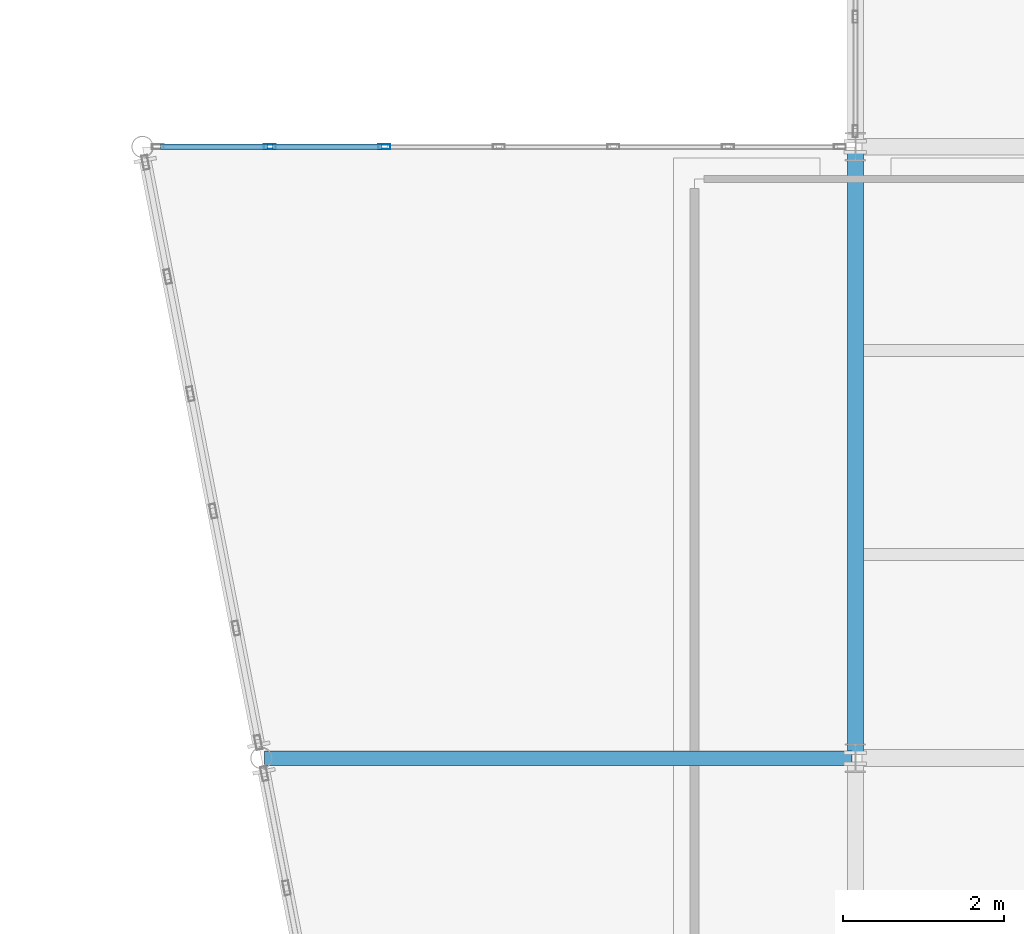
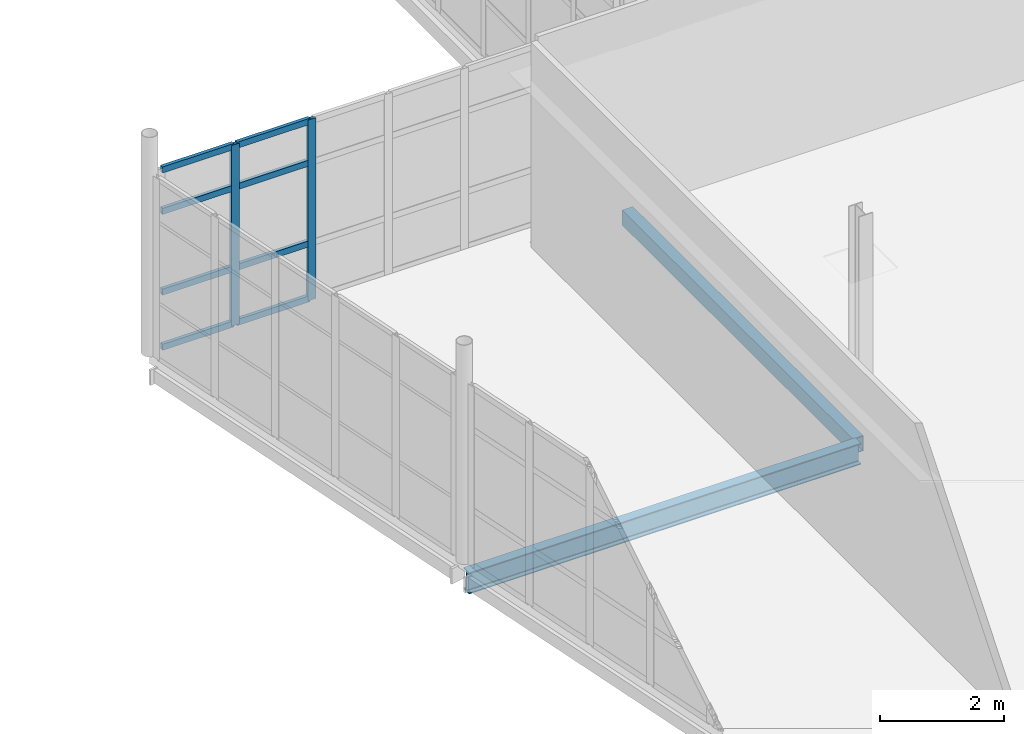
# One storey, part 105 of 174: 10 members, 2 beams, 1 element without a shape of its own.
"""IFC4 building model written with IfcOpenShell, lengths in metres."""

from ifc_helpers import new_model, si_unit, direction, frame, origin, origin_2d, place, context, subcontext, project, spatial, hollow_rectangle, i_section, extrude, material, material_profile, profile_set, type_object, element, aggregate, save


model = new_model("IFC4")

# Units and contexts
model_context = context("Model", 3, precision=1e-05, world=origin(), true_north=direction((0.0, 1.0)))
body_context = subcontext(model_context, "Body", "Model", "MODEL_VIEW")
ifc_project = project(units=[si_unit("LENGTHUNIT", "METRE"), si_unit("AREAUNIT", "SQUARE_METRE"), si_unit("VOLUMEUNIT", "CUBIC_METRE"), si_unit("PLANEANGLEUNIT", "RADIAN"), si_unit("MASSUNIT", "GRAM", prefix="KILO")], contexts=[model_context])

# Site, building, storey
site_placement = place(None, origin())
site = spatial("IfcSite", under=ifc_project, at=site_placement, CompositionType="ELEMENT")
building_placement = place(site_placement, origin())
building = spatial("IfcBuilding", under=site, at=building_placement, Name="Caisbarro Railhouse Central Library", CompositionType="ELEMENT")
storey_placement = place(building_placement, frame((0.0, 0.0, 5.0400390625)))
storey = spatial("IfcBuildingStorey", under=building, at=storey_placement, Name="L01", CompositionType="ELEMENT", Elevation=5.0400390625)

# Beams
ifc_material_1 = material(Name="Steel ASTM A572 Grade 50", Category="steel")
ifc_material_profile_1 = material_profile(ifc_material_1, i_section(OverallWidth=0.180908203125, OverallDepth=0.4169921875, WebThickness=0.010986328125, FlangeThickness=0.018310546875, FilletRadius=0.01611328125, at=origin_2d()), Name="W410X85.0")
ifc_profile_set_1 = profile_set([ifc_material_profile_1], Name="Steel ASTM A572 Grade 50")
beam_type_1 = type_object("IfcBeamType", Name="BM-G09", PredefinedType="BEAM", material=ifc_profile_set_1)
beam_1_placement = place(storey_placement, frame((109.654052734375, 98.800048828125, -0.428466796875), z_axis=(1.0, 0.0, 0.0), x_axis=(0.0, 1.0, 0.0)))
element("IfcBeam", 1, at=beam_1_placement, inside=storey, type_object=beam_type_1, Name="G09 beam L01 #1275", PredefinedType="BEAM", context=body_context, shape_type="SweptSolid", body=[
    extrude(i_section(OverallWidth=0.180908203125, OverallDepth=0.4169921875, WebThickness=0.010986328125, FlangeThickness=0.018310546875, FilletRadius=0.01611328125, at=origin_2d()), origin(), (0.0, 0.0, 1.0), 7.305908203125),
])
ifc_material_profile_2 = material_profile(ifc_material_1, hollow_rectangle(XDim=0.199951171875, YDim=0.300048828125, WallThickness=0.012451171875, at=origin_2d()), Name="HSS300X200X12.5")
ifc_profile_set_2 = profile_set([ifc_material_profile_2], Name="Steel ASTM A572 Grade 50")
beam_type_2 = type_object("IfcBeamType", Name="BM-SP02", PredefinedType="SPANDREL", material=ifc_profile_set_2)
beam_2_placement = place(storey_placement, frame((117.0, 98.8798828125, -0.3701171875), z_axis=(0.0, 1.0, 0.0), x_axis=(-1.0, 0.0, 0.0)))
element("IfcBeam", 2, at=beam_2_placement, inside=storey, type_object=beam_type_2, Name="SP02 beam L01 #936", PredefinedType="SPANDREL", context=body_context, shape_type="SweptSolid", body=[
    extrude(hollow_rectangle(XDim=0.199951171875, YDim=0.300048828125, WallThickness=0.012451171875, at=origin_2d()), origin(), (0.0, 0.0, 1.0), 7.440185546875),
])

# Curtain wall, members
ifc_material_2 = material(Name="Anodised architectural aluminium", Category="aluminium")
curtain_wall_type = type_object("IfcCurtainWallType", Name="CW-CW03", PredefinedType="NOTDEFINED", material=ifc_material_2)
curtain_wall_placement = place(storey_placement, origin())
curtain_wall = element("IfcCurtainWall", 3, at=curtain_wall_placement, inside=storey, type_object=curtain_wall_type, Name="CW03 curtain wall L01 #115", PredefinedType="NOTDEFINED")
ifc_material_profile_3 = material_profile(ifc_material_2, hollow_rectangle(XDim=0.06494140625, YDim=0.14990234375, WallThickness=0.00390625, at=origin_2d()), Name="ALU-MUL-65X150")
ifc_profile_set_3 = profile_set([ifc_material_profile_3], Name="Anodised architectural aluminium")
member_type_1 = type_object("IfcMemberType", Name="CWM-M02", PredefinedType="MULLION", material=ifc_profile_set_3)
member_1_placement = place(storey_placement, frame((109.719970703125, 106.39990234375, 0.0), z_axis=(0.0, 0.0, 1.0), x_axis=(0.0, 1.0, 0.0)))
member_1 = element("IfcMember", 4, at=member_1_placement, type_object=member_type_1, Name="CW03 mullion 2", PredefinedType="MULLION", context=body_context, shape_type="SweptSolid", body=[
    extrude(hollow_rectangle(XDim=0.06494140625, YDim=0.14990234375, WallThickness=0.00390625, at=origin_2d()), origin(), (0.0, 0.0, 1.0), 3.56005859375),
])
member_2_placement = place(storey_placement, frame((111.14404296875, 106.39990234375, 0.0), z_axis=(0.0, 0.0, 1.0), x_axis=(0.0, 1.0, 0.0)))
member_2 = element("IfcMember", 5, at=member_2_placement, type_object=member_type_1, Name="CW03 mullion 3", PredefinedType="MULLION", context=body_context, shape_type="SweptSolid", body=[
    extrude(hollow_rectangle(XDim=0.06494140625, YDim=0.14990234375, WallThickness=0.00390625, at=origin_2d()), origin(), (0.0, 0.0, 1.0), 3.56005859375),
])
ifc_material_profile_4 = material_profile(ifc_material_2, hollow_rectangle(XDim=0.06494140625, YDim=0.1201171875, WallThickness=0.00341796875, at=origin_2d()), Name="ALU-TRN-65X120")
ifc_profile_set_4 = profile_set([ifc_material_profile_4], Name="Anodised architectural aluminium")
member_type_2 = type_object("IfcMemberType", Name="CWT-T02", PredefinedType="USERDEFINED", material=ifc_profile_set_4)
member_3_placement = place(storey_placement, frame((108.361083984375, 106.39990234375, 0.032470703125), z_axis=(1.0, 0.0, 0.0), x_axis=(0.0, 1.0, 0.0)))
member_3 = element("IfcMember", 6, at=member_3_placement, type_object=member_type_2, Name="CW03 transom 1.1", ObjectType="TRANSOM", PredefinedType="USERDEFINED", context=body_context, shape_type="SweptSolid", body=[
    extrude(hollow_rectangle(XDim=0.06494140625, YDim=0.1201171875, WallThickness=0.00341796875, at=origin_2d()), origin(), (0.0, 0.0, 1.0), 1.326416015625),
])
member_4_placement = place(storey_placement, frame((108.361083984375, 106.39990234375, 1.119873046875), z_axis=(1.0, 0.0, 0.0), x_axis=(0.0, 1.0, 0.0)))
member_4 = element("IfcMember", 7, at=member_4_placement, type_object=member_type_2, Name="CW03 transom 1.2", ObjectType="TRANSOM", PredefinedType="USERDEFINED", context=body_context, shape_type="SweptSolid", body=[
    extrude(hollow_rectangle(XDim=0.06494140625, YDim=0.1201171875, WallThickness=0.00341796875, at=origin_2d()), origin(), (0.0, 0.0, 1.0), 1.326416015625),
])
member_5_placement = place(storey_placement, frame((108.361083984375, 106.39990234375, 2.7099609375), z_axis=(1.0, 0.0, 0.0), x_axis=(0.0, 1.0, 0.0)))
member_5 = element("IfcMember", 8, at=member_5_placement, type_object=member_type_2, Name="CW03 transom 1.3", ObjectType="TRANSOM", PredefinedType="USERDEFINED", context=body_context, shape_type="SweptSolid", body=[
    extrude(hollow_rectangle(XDim=0.06494140625, YDim=0.1201171875, WallThickness=0.00341796875, at=origin_2d()), origin(), (0.0, 0.0, 1.0), 1.326416015625),
])
member_6_placement = place(storey_placement, frame((108.361083984375, 106.39990234375, 3.52734375), z_axis=(1.0, 0.0, 0.0), x_axis=(0.0, 1.0, 0.0)))
member_6 = element("IfcMember", 9, at=member_6_placement, type_object=member_type_2, Name="CW03 transom 1.4", ObjectType="TRANSOM", PredefinedType="USERDEFINED", context=body_context, shape_type="SweptSolid", body=[
    extrude(hollow_rectangle(XDim=0.06494140625, YDim=0.1201171875, WallThickness=0.00341796875, at=origin_2d()), origin(), (0.0, 0.0, 1.0), 1.326416015625),
])
member_7_placement = place(storey_placement, frame((109.75244140625, 106.39990234375, 0.032470703125), z_axis=(1.0, 0.0, 0.0), x_axis=(0.0, 1.0, 0.0)))
member_7 = element("IfcMember", 10, at=member_7_placement, type_object=member_type_2, Name="CW03 transom 2.1", ObjectType="TRANSOM", PredefinedType="USERDEFINED", context=body_context, shape_type="SweptSolid", body=[
    extrude(hollow_rectangle(XDim=0.06494140625, YDim=0.1201171875, WallThickness=0.00341796875, at=origin_2d()), origin(), (0.0, 0.0, 1.0), 1.359130859375),
])
member_8_placement = place(storey_placement, frame((109.75244140625, 106.39990234375, 1.119873046875), z_axis=(1.0, 0.0, 0.0), x_axis=(0.0, 1.0, 0.0)))
member_8 = element("IfcMember", 11, at=member_8_placement, type_object=member_type_2, Name="CW03 transom 2.2", ObjectType="TRANSOM", PredefinedType="USERDEFINED", context=body_context, shape_type="SweptSolid", body=[
    extrude(hollow_rectangle(XDim=0.06494140625, YDim=0.1201171875, WallThickness=0.00341796875, at=origin_2d()), origin(), (0.0, 0.0, 1.0), 1.359130859375),
])
member_9_placement = place(storey_placement, frame((109.75244140625, 106.39990234375, 2.7099609375), z_axis=(1.0, 0.0, 0.0), x_axis=(0.0, 1.0, 0.0)))
member_9 = element("IfcMember", 12, at=member_9_placement, type_object=member_type_2, Name="CW03 transom 2.3", ObjectType="TRANSOM", PredefinedType="USERDEFINED", context=body_context, shape_type="SweptSolid", body=[
    extrude(hollow_rectangle(XDim=0.06494140625, YDim=0.1201171875, WallThickness=0.00341796875, at=origin_2d()), origin(), (0.0, 0.0, 1.0), 1.359130859375),
])
member_10_placement = place(storey_placement, frame((109.75244140625, 106.39990234375, 3.52734375), z_axis=(1.0, 0.0, 0.0), x_axis=(0.0, 1.0, 0.0)))
member_10 = element("IfcMember", 13, at=member_10_placement, type_object=member_type_2, Name="CW03 transom 2.4", ObjectType="TRANSOM", PredefinedType="USERDEFINED", context=body_context, shape_type="SweptSolid", body=[
    extrude(hollow_rectangle(XDim=0.06494140625, YDim=0.1201171875, WallThickness=0.00341796875, at=origin_2d()), origin(), (0.0, 0.0, 1.0), 1.359130859375),
])
aggregate(curtain_wall, [member_1, member_2, member_3, member_4, member_5, member_6, member_7, member_8, member_9, member_10])

save(model, "model.ifc")
